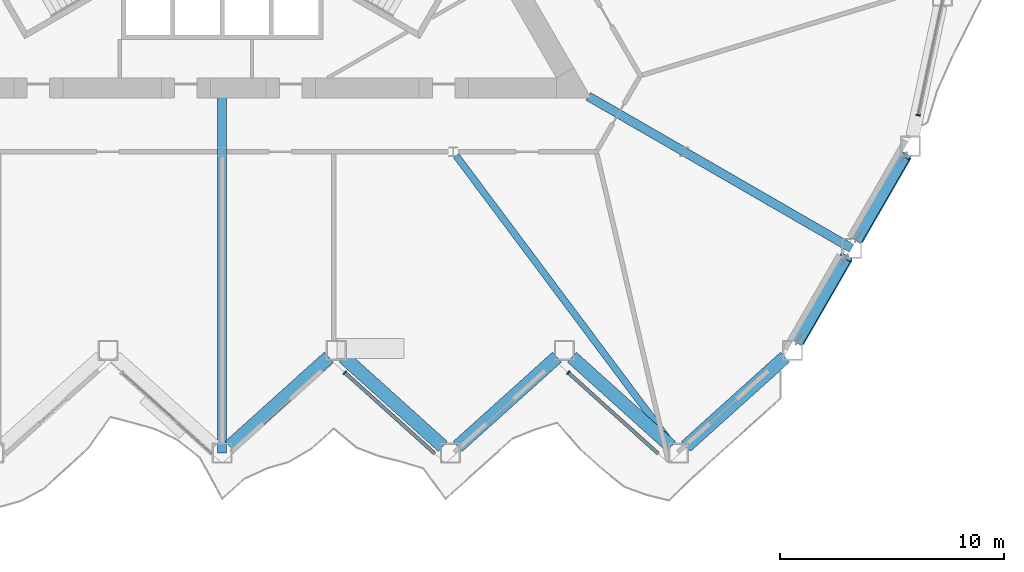
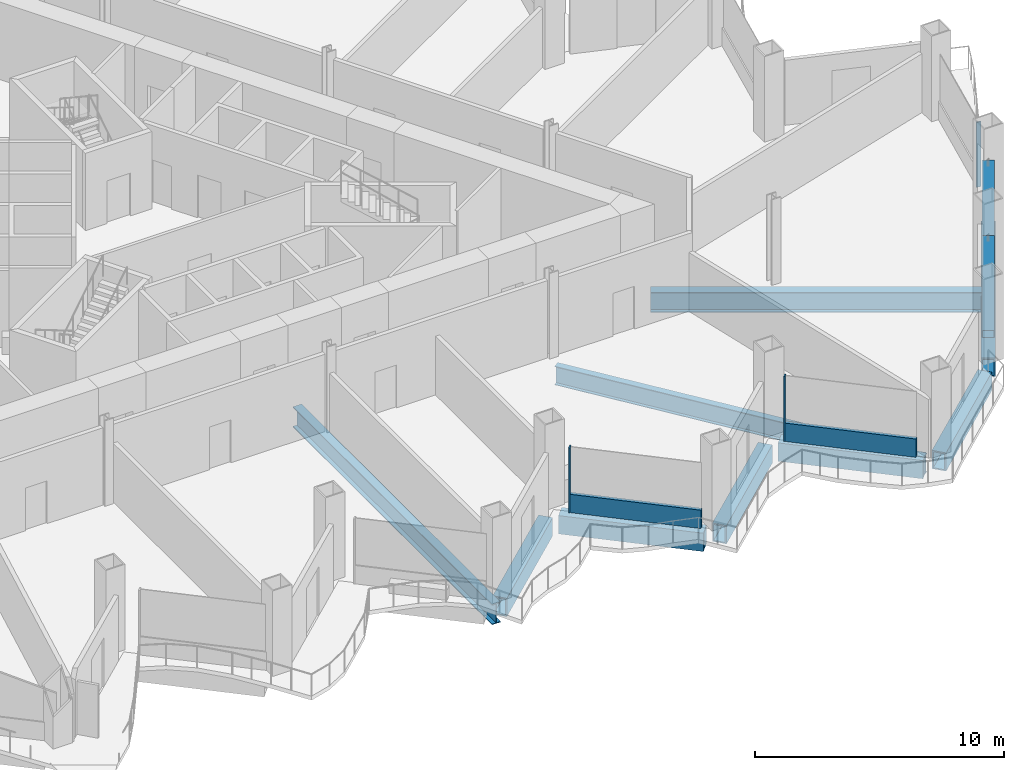
# One storey, part 5 of 21: 9 members, 8 beams, 3 elements without a shape of their own.
"""IFC4 building model written with IfcOpenShell, lengths in metres."""

from ifc_helpers import new_model, si_unit, direction, frame, origin, origin_2d, place, context, subcontext, project, spatial, rectangle, hollow_rectangle, i_section, extrude, material, layer, layer_set, material_profile, profile_set, type_object, element, aggregate, save


model = new_model("IFC4")

# Units and contexts
model_context = context("Model", 3, precision=1e-05, world=origin(), true_north=direction((0.0, 1.0)))
body_context = subcontext(model_context, "Body", "Model", "MODEL_VIEW")
ifc_project = project(units=[si_unit("LENGTHUNIT", "METRE"), si_unit("AREAUNIT", "SQUARE_METRE"), si_unit("VOLUMEUNIT", "CUBIC_METRE"), si_unit("PLANEANGLEUNIT", "RADIAN"), si_unit("MASSUNIT", "GRAM", prefix="KILO")], contexts=[model_context])

# Site, building, storey
site_placement = place(None, origin())
site = spatial("IfcSite", under=ifc_project, at=site_placement, CompositionType="ELEMENT")
building_placement = place(site_placement, origin())
building = spatial("IfcBuilding", under=site, at=building_placement, Name="Cormorant Prow Tower", CompositionType="ELEMENT")
storey_placement = place(building_placement, frame((0.0, 0.0, 99.60009765625)))
storey = spatial("IfcBuildingStorey", under=building, at=storey_placement, Name="L20", CompositionType="ELEMENT", Elevation=99.60009765625)

# Beams
ifc_material_1 = material(Name="Structural steel ASTM A572 Gr 50", Category="steel")
ifc_material_profile_1 = material_profile(ifc_material_1, hollow_rectangle(XDim=0.60009765625, YDim=0.89990234375, WallThickness=0.06005859375, at=origin_2d()), Name="Box 900x600x60")
ifc_profile_set_1 = profile_set([ifc_material_profile_1], Name="Structural steel ASTM A572 Gr 50")
beam_type_1 = type_object("IfcBeamType", Name="Belt truss top chord 900x600x60", PredefinedType="BEAM", material=ifc_profile_set_1)
for number, where, z_axis, x_axis, name in (
    (1, (0.33447265625, -25.09814453125, -0.85009765625), (0.743131253571, 0.66914567918, 0.0), (-0.66914567918, 0.743131253571, 0.0), "Belt truss top chord TC2 S05-S06 L20"),
    (2, (5.434326171875, -21.108154296875, -0.85009765625), (0.743131253571, -0.66914567918, 0.0), (0.66914567918, 0.743131253571, 0.0), "Belt truss top chord TC2 S06-S07 L20"),
    (3, (10.5341796875, -25.09814453125, -0.85009765625), (0.743131253571, 0.66914567918, 0.0), (-0.66914567918, 0.743131253571, 0.0), "Belt truss top chord TC2 S07-S08 L20"),
    (4, (15.63427734375, -21.108154296875, -0.85009765625), (0.743131253571, -0.66914567918, 0.0), (0.66914567918, 0.743131253571, 0.0), "Belt truss top chord TC2 S08-S09 L20"),
    (5, (20.734130859375, -25.09814453125, -0.85009765625), (0.743131253571, 0.66914567918, 0.0), (-0.66914567918, 0.743131253571, 0.0), "Belt truss top chord TC2 S09-ESE00 L20"),
):
    element("IfcBeam", number, at=place(storey_placement, frame(where, z_axis=z_axis, x_axis=x_axis)), inside=storey, type_object=beam_type_1, Name=name, PredefinedType="BEAM", context=body_context, shape_type="SweptSolid", body=[
        extrude(hollow_rectangle(XDim=0.60009765625, YDim=0.89990234375, WallThickness=0.06005859375, at=origin_2d()), origin(), (0.0, 0.0, 1.0), 5.962890625),
    ])
for number, where, z_axis, x_axis, name in (
    (6, (25.724609375, -20.41748046875, -0.85009765625), (0.500002967982, 0.866023690213, 0.0), (-0.866023690213, 0.500002967982, 0.0), "Belt truss top chord TC2 ESE00-ESE01 L20"),
    (7, (28.359619140625, -15.853759765625, -0.85009765625), (0.500002967982, 0.866023690213, 0.0), (-0.866023690213, 0.500002967982, 0.0), "Belt truss top chord TC2 ESE01-ENE00 L20"),
):
    element("IfcBeam", number, at=place(storey_placement, frame(where, z_axis=z_axis, x_axis=x_axis)), inside=storey, type_object=beam_type_1, Name=name, PredefinedType="BEAM", context=body_context, shape_type="SweptSolid", body=[
        extrude(hollow_rectangle(XDim=0.60009765625, YDim=0.89990234375, WallThickness=0.06005859375, at=origin_2d()), origin(), (0.0, 0.0, 1.0), 4.36962890625),
    ])

# Members
ifc_material_2 = material(Name="Structural steel ASTM A500 Gr C", Category="steel")
ifc_material_profile_2 = material_profile(ifc_material_2, hollow_rectangle(XDim=0.508056640625, YDim=0.508056640625, WallThickness=0.014892578125, at=origin_2d()), Name="HSS20x20x5/8")
ifc_profile_set_2 = profile_set([ifc_material_profile_2], Name="Structural steel ASTM A500 Gr C")
member_type_1 = type_object("IfcMemberType", Name="Chamfer brace HSS20x20x5/8", PredefinedType="BRACE", material=ifc_profile_set_2)
for number, where, z_axis, x_axis, name in (
    (8, (25.733642578125, -20.402099609375, 0.7763671875), (0.467775966243, 0.810228448064, 0.353150828052), (-0.866029868417, 0.499992266949, 0.0), "Chamfer brace BR1 at ESE00 L20"),
    (9, (28.368408203125, -15.83837890625, 0.7763671875), (0.467775966243, 0.810228448064, 0.353150828052), (-0.866029868417, 0.499992266949, 0.0), "Chamfer brace BR1 at ESE01 L20"),
):
    element("IfcMember", number, at=place(storey_placement, frame(where, z_axis=z_axis, x_axis=x_axis)), inside=storey, type_object=member_type_1, Name=name, PredefinedType="BRACE", context=body_context, shape_type="SweptSolid", body=[
        extrude(hollow_rectangle(XDim=0.508056640625, YDim=0.508056640625, WallThickness=0.014892578125, at=origin_2d()), origin(), (0.0, 0.0, 1.0), 4.632568359375),
    ])

# Curtain wall, member
ifc_material_3 = material(Name="Aluminium 6063-T6", Category="aluminium")
ifc_layer = layer(ifc_material_3, 0.199951171875)
ifc_layer_set = layer_set([ifc_layer], Name="Aluminium 6063-T6")
curtain_wall_type = type_object("IfcCurtainWallType", Name="Office unitised curtain wall 200", PredefinedType="NOTDEFINED", material=ifc_layer_set)
curtain_wall_1_placement = place(storey_placement, origin())
curtain_wall_1 = element("IfcCurtainWall", 10, at=curtain_wall_1_placement, inside=storey, type_object=curtain_wall_type, Name="Office curtain wall S06", PredefinedType="NOTDEFINED")
ifc_material_4 = material(Name="Aluminium 6063-T6", Category="aluminium")
ifc_material_profile_3 = material_profile(ifc_material_4, rectangle(XDim=0.199951171875, YDim=0.06005859375, at=origin_2d()), Name="Office mullion 60x200")
ifc_profile_set_3 = profile_set([ifc_material_profile_3], Name="Aluminium 6063-T6")
member_type_2 = type_object("IfcMemberType", Name="Office mullion 60x200", PredefinedType="MULLION", material=ifc_profile_set_3)
member_1_placement = place(storey_placement, frame((5.487548828125, -21.800537109375, 0.0), z_axis=(0.0, 0.0, 1.0), x_axis=(0.669130650497, 0.743144785735, 0.0)))
member_1 = element("IfcMember", 11, at=member_1_placement, type_object=member_type_2, Name="Office mullion S06", PredefinedType="MULLION", context=body_context, shape_type="SweptSolid", body=[
    extrude(rectangle(XDim=0.199951171875, YDim=0.06005859375, at=origin_2d()), origin(), (0.0, 0.0, 1.0), 3.188720703125),
])

curtain_wall_2_placement = place(storey_placement, origin())
curtain_wall_2 = element("IfcCurtainWall", 12, at=curtain_wall_2_placement, inside=storey, type_object=curtain_wall_type, Name="Office curtain wall S08", PredefinedType="NOTDEFINED")
member_2_placement = place(storey_placement, frame((15.472900390625, -21.800537109375, 0.0), z_axis=(0.0, 0.0, 1.0), x_axis=(0.669130650497, 0.743144785735, 0.0)))
member_2 = element("IfcMember", 13, at=member_2_placement, type_object=member_type_2, Name="Office mullion S08", PredefinedType="MULLION", context=body_context, shape_type="SweptSolid", body=[
    extrude(rectangle(XDim=0.199951171875, YDim=0.06005859375, at=origin_2d()), origin(), (0.0, 0.0, 1.0), 3.188720703125),
])

curtain_wall_3_placement = place(storey_placement, origin())
curtain_wall_3 = element("IfcCurtainWall", 14, at=curtain_wall_3_placement, inside=storey, type_object=curtain_wall_type, Name="Office curtain wall ENE00", PredefinedType="NOTDEFINED")
member_3_placement = place(storey_placement, frame((31.114013671875, -10.2900390625, 0.0), z_axis=(0.0, 0.0, 1.0), x_axis=(-0.978147583933, 0.207911769861, 0.0)))
member_3 = element("IfcMember", 15, at=member_3_placement, type_object=member_type_2, Name="Office mullion ENE00", PredefinedType="MULLION", context=body_context, shape_type="SweptSolid", body=[
    extrude(rectangle(XDim=0.199951171875, YDim=0.06005859375, at=origin_2d()), origin(), (0.0, 0.0, 1.0), 3.188720703125),
])
aggregate(curtain_wall_3, [member_3])

# Member
ifc_material_5 = material(Name="Terracotta", Category="masonry")
ifc_material_profile_4 = material_profile(ifc_material_5, rectangle(XDim=0.159912109375, YDim=0.89990234375, at=origin_2d()), Name="Office terracotta spandrel rail 160x900")
ifc_profile_set_4 = profile_set([ifc_material_profile_4], Name="Terracotta")
member_type_3 = type_object("IfcMemberType", Name="Office terracotta spandrel rail 160x900", PredefinedType="USERDEFINED", material=ifc_profile_set_4)
member_4_placement = place(storey_placement, frame((5.510009765625, -21.820556640625, 0.449951171875), z_axis=(0.743125087883, -0.669152526528, 0.0), x_axis=(0.669152526528, 0.743125087883, 0.0)))
member_4 = element("IfcMember", 16, at=member_4_placement, type_object=member_type_3, Name="Office spandrel rail S06", ObjectType="TRANSOM", PredefinedType="USERDEFINED", context=body_context, shape_type="SweptSolid", body=[
    extrude(rectangle(XDim=0.159912109375, YDim=0.89990234375, at=origin_2d()), origin(), (0.0, 0.0, 1.0), 5.38623046875),
])

aggregate(curtain_wall_1, [member_1, member_4])

member_5_placement = place(storey_placement, frame((15.495361328125, -21.820556640625, 0.449951171875), z_axis=(0.743125087883, -0.669152526528, 0.0), x_axis=(0.669152526528, 0.743125087883, 0.0)))
member_5 = element("IfcMember", 17, at=member_5_placement, type_object=member_type_3, Name="Office spandrel rail S08", ObjectType="TRANSOM", PredefinedType="USERDEFINED", context=body_context, shape_type="SweptSolid", body=[
    extrude(rectangle(XDim=0.159912109375, YDim=0.89990234375, at=origin_2d()), origin(), (0.0, 0.0, 1.0), 5.38623046875),
])

aggregate(curtain_wall_2, [member_2, member_5])

# Members
ifc_material_6 = material(Name="Structural steel ASTM A992 Gr 50", Category="steel")
ifc_material_profile_5 = material_profile(ifc_material_6, i_section(OverallWidth=0.39990234375, OverallDepth=1.000244140625, WebThickness=0.01904296875, FlangeThickness=0.0361328125, at=origin_2d()), Name="W40x249")
ifc_profile_set_5 = profile_set([ifc_material_profile_5], Name="Structural steel ASTM A992 Gr 50")
member_type_4 = type_object("IfcMemberType", Name="Outrigger chord W40x249", PredefinedType="CHORD", material=ifc_profile_set_5)
member_6_placement = place(storey_placement, frame((0.0, -9.376220703125, -0.900146484375), z_axis=(0.0, -1.0, 0.0), x_axis=(1.0, 0.0, 0.0)))
element("IfcMember", 18, at=member_6_placement, inside=storey, type_object=member_type_4, Name="Outrigger top chord 4 L20", PredefinedType="CHORD", context=body_context, shape_type="SweptSolid", body=[
    extrude(i_section(OverallWidth=0.39990234375, OverallDepth=1.000244140625, WebThickness=0.01904296875, FlangeThickness=0.0361328125, at=origin_2d()), origin(), (0.0, 0.0, 1.0), 16.02294921875),
])
member_7_placement = place(storey_placement, frame((16.3701171875, -9.451171875, -0.900146484375), z_axis=(0.866023671636, -0.500003000157, 0.0), x_axis=(0.500003000157, 0.866023671636, 0.0)))
element("IfcMember", 19, at=member_7_placement, inside=storey, type_object=member_type_4, Name="Outrigger top chord 5 L20", PredefinedType="CHORD", context=body_context, shape_type="SweptSolid", body=[
    extrude(i_section(OverallWidth=0.39990234375, OverallDepth=1.000244140625, WebThickness=0.01904296875, FlangeThickness=0.0361328125, at=origin_2d()), origin(), (0.0, 0.0, 1.0), 13.58447265625),
])

# Beam
ifc_material_7 = material(Name="Structural steel ASTM A992 Gr 50", Category="steel")
ifc_material_profile_6 = material_profile(ifc_material_7, i_section(OverallWidth=0.3046875, OverallDepth=0.914794921875, WebThickness=0.0166015625, FlangeThickness=0.02587890625, at=origin_2d()), Name="W36x160")
ifc_profile_set_6 = profile_set([ifc_material_profile_6], Name="Structural steel ASTM A992 Gr 50")
beam_type_2 = type_object("IfcBeamType", Name="Radial floor beam W36x160", PredefinedType="BEAM", material=ifc_profile_set_6)
beam_placement = place(storey_placement, frame((10.458740234375, -12.100341796875, -0.857421875), z_axis=(0.598722444929, -0.800956574315, 0.0), x_axis=(0.800956574315, 0.598722444929, 0.0)))
element("IfcBeam", 20, at=beam_placement, inside=storey, type_object=beam_type_2, Name="Radial floor beam FB1 8 L20", PredefinedType="BEAM", context=body_context, shape_type="SweptSolid", body=[
    extrude(i_section(OverallWidth=0.3046875, OverallDepth=0.914794921875, WebThickness=0.0166015625, FlangeThickness=0.02587890625, at=origin_2d()), origin(), (0.0, 0.0, 1.0), 16.15380859375),
])

save(model, "model.ifc")
